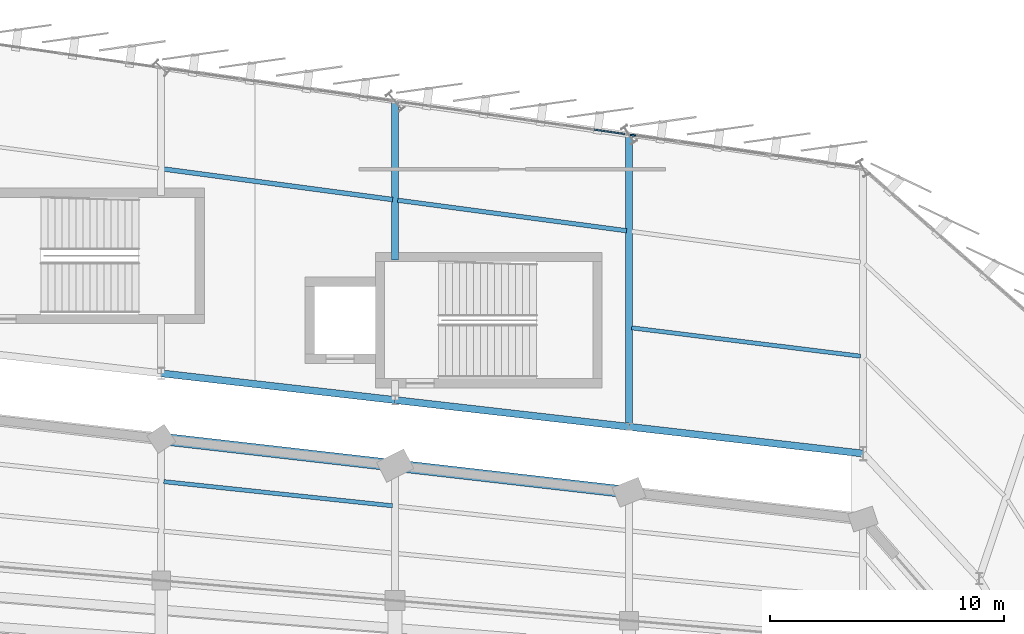
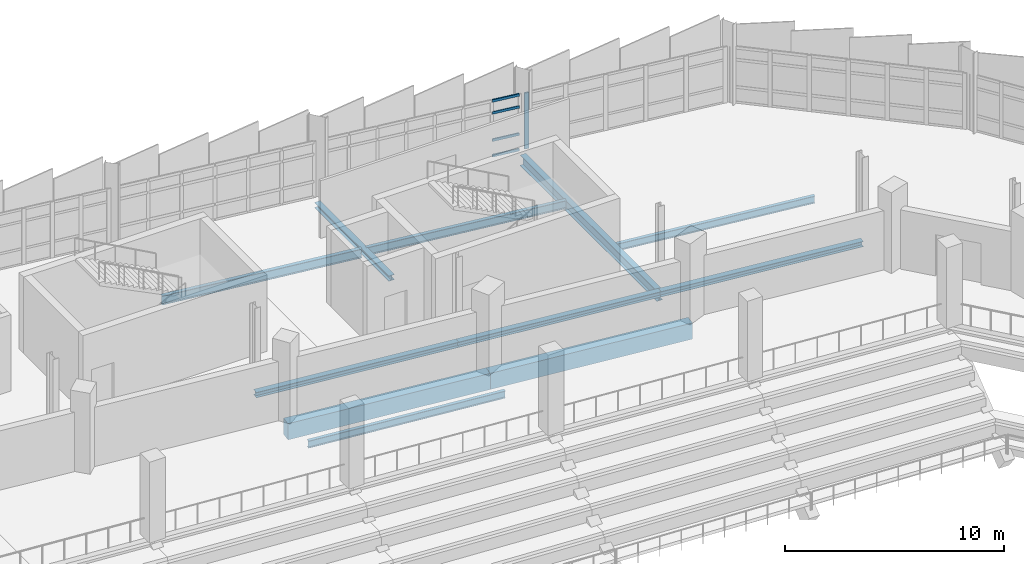
# One storey, part 76 of 134: 11 beams, 5 members, 2 elements without a shape of their own.
"""IFC4 building model written with IfcOpenShell, lengths in metres."""

from ifc_helpers import new_model, si_unit, direction, frame, origin, origin_2d, place, context, subcontext, project, spatial, rectangle, i_section, extrude, material, layer, layer_set, material_profile, profile_set, type_object, element, aggregate, save


model = new_model("IFC4")

# Units and contexts
model_context = context("Model", 3, precision=1e-05, world=origin(), true_north=direction((0.0, 1.0)))
body_context = subcontext(model_context, "Body", "Model", "MODEL_VIEW")
ifc_project = project(units=[si_unit("LENGTHUNIT", "METRE"), si_unit("AREAUNIT", "SQUARE_METRE"), si_unit("VOLUMEUNIT", "CUBIC_METRE"), si_unit("PLANEANGLEUNIT", "RADIAN"), si_unit("MASSUNIT", "GRAM", prefix="KILO")], contexts=[model_context])

# Site, building, storey
site_placement = place(None, origin())
site = spatial("IfcSite", under=ifc_project, at=site_placement, CompositionType="ELEMENT")
building_placement = place(site_placement, origin())
building = spatial("IfcBuilding", under=site, at=building_placement, Name="Sohan Crest Arena", CompositionType="ELEMENT")
storey_placement = place(building_placement, frame((0.0, 0.0, 4.5)))
storey = spatial("IfcBuildingStorey", under=building, at=storey_placement, Name="L01", CompositionType="ELEMENT", Elevation=4.5)

# Curtain wall, member
ifc_material_1 = material(Name="Thermally broken anodised aluminium", Category="aluminium")
ifc_layer_1 = layer(ifc_material_1, 0.239990234375, Name="Thermally broken anodised aluminium")
ifc_layer_set_1 = layer_set([ifc_layer_1], Name="Thermally broken anodised aluminium")
curtain_wall_type_1 = type_object("IfcCurtainWallType", Name="ARC-CW04", PredefinedType="NOTDEFINED", material=ifc_layer_set_1)
curtain_wall_1_placement = place(storey_placement, origin())
curtain_wall_1 = element("IfcCurtainWall", 1, at=curtain_wall_1_placement, inside=storey, type_object=curtain_wall_type_1, Name="Unitised curtain wall CW-043", PredefinedType="NOTDEFINED")
ifc_material_profile_1 = material_profile(ifc_material_1, rectangle(XDim=0.074951171875, YDim=0.219970703125, at=origin_2d()), Name="ALU-MULL 75x220")
ifc_profile_set_1 = profile_set([ifc_material_profile_1], Name="Thermally broken anodised aluminium")
member_type_1 = type_object("IfcMemberType", Name="ARC-CW-ML04", PredefinedType="MULLION", material=ifc_profile_set_1)
member_1_placement = place(storey_placement, frame((158.166015625, 117.40576171875, 0.0), z_axis=(0.0, 0.0, 1.0), x_axis=(-0.141549389674, -0.989931194722, 0.0)))
member_1 = element("IfcMember", 2, at=member_1_placement, type_object=member_type_1, Name="CW-043 mullion 6", PredefinedType="MULLION", context=body_context, shape_type="SweptSolid", body=[
    extrude(rectangle(XDim=0.074951171875, YDim=0.219970703125, at=origin_2d()), origin(), (0.0, 0.0, 1.0), 3.1201171875),
])
aggregate(curtain_wall_1, [member_1])

# Curtain wall, members
ifc_layer_2 = layer(ifc_material_1, 0.18994140625, Name="Thermally broken anodised aluminium")
ifc_layer_set_2 = layer_set([ifc_layer_2], Name="Thermally broken anodised aluminium")
curtain_wall_type_2 = type_object("IfcCurtainWallType", Name="ARC-CW05", PredefinedType="NOTDEFINED", material=ifc_layer_set_2)
curtain_wall_2_placement = place(storey_placement, origin())
curtain_wall_2 = element("IfcCurtainWall", 3, at=curtain_wall_2_placement, inside=storey, type_object=curtain_wall_type_2, Name="Unitised curtain wall CW-044", PredefinedType="NOTDEFINED")
ifc_material_profile_2 = material_profile(ifc_material_1, rectangle(XDim=0.06494140625, YDim=0.139892578125, at=origin_2d()), Name="ALU-TRAN 65x140")
ifc_profile_set_2 = profile_set([ifc_material_profile_2], Name="Thermally broken anodised aluminium")
member_type_2 = type_object("IfcMemberType", Name="ARC-CW-TR02", PredefinedType="USERDEFINED", material=ifc_profile_set_2)
member_2_placement = place(storey_placement, frame((157.8115234375, 117.45556640625, 0.032470703125), z_axis=(-0.989953204485, 0.141395378035, 0.0), x_axis=(-0.141395378035, -0.989953204485, 0.0)))
member_2 = element("IfcMember", 4, at=member_2_placement, type_object=member_type_2, Name="CW-044 transom 1.1", ObjectType="TRANSOM", PredefinedType="USERDEFINED", context=body_context, shape_type="SweptSolid", body=[
    extrude(rectangle(XDim=0.06494140625, YDim=0.139892578125, at=origin_2d()), origin(), (0.0, 0.0, 1.0), 1.315673828125),
])
member_3_placement = place(storey_placement, frame((157.8115234375, 117.45556640625, 0.89990234375), z_axis=(-0.989953204485, 0.141395378035, 0.0), x_axis=(-0.141395378035, -0.989953204485, 0.0)))
member_3 = element("IfcMember", 5, at=member_3_placement, type_object=member_type_2, Name="CW-044 transom 1.2", ObjectType="TRANSOM", PredefinedType="USERDEFINED", context=body_context, shape_type="SweptSolid", body=[
    extrude(rectangle(XDim=0.06494140625, YDim=0.139892578125, at=origin_2d()), origin(), (0.0, 0.0, 1.0), 1.315673828125),
])
member_4_placement = place(storey_placement, frame((157.8115234375, 117.45556640625, 2.419921875), z_axis=(-0.989953204485, 0.141395378035, 0.0), x_axis=(-0.141395378035, -0.989953204485, 0.0)))
member_4 = element("IfcMember", 6, at=member_4_placement, type_object=member_type_2, Name="CW-044 transom 1.3", ObjectType="TRANSOM", PredefinedType="USERDEFINED", context=body_context, shape_type="SweptSolid", body=[
    extrude(rectangle(XDim=0.06494140625, YDim=0.139892578125, at=origin_2d()), origin(), (0.0, 0.0, 1.0), 1.315673828125),
])
member_5_placement = place(storey_placement, frame((157.8115234375, 117.45556640625, 3.08740234375), z_axis=(-0.989953204485, 0.141395378035, 0.0), x_axis=(-0.141395378035, -0.989953204485, 0.0)))
member_5 = element("IfcMember", 7, at=member_5_placement, type_object=member_type_2, Name="CW-044 transom 1.4", ObjectType="TRANSOM", PredefinedType="USERDEFINED", context=body_context, shape_type="SweptSolid", body=[
    extrude(rectangle(XDim=0.06494140625, YDim=0.139892578125, at=origin_2d()), origin(), (0.0, 0.0, 1.0), 1.315673828125),
])
aggregate(curtain_wall_2, [member_2, member_3, member_4, member_5])

# Beams
ifc_material_2 = material(Name="Steel S355", Category="steel")
ifc_material_profile_3 = material_profile(ifc_material_2, i_section(OverallWidth=0.179931640625, OverallDepth=0.39990234375, WebThickness=0.008544921875, FlangeThickness=0.013427734375, at=origin_2d()), Name="IPE 400")
ifc_profile_set_3 = profile_set([ifc_material_profile_3], Name="Steel S355")
beam_type_1 = type_object("IfcBeamType", Name="STR-BM-B03", PredefinedType="JOIST", material=ifc_profile_set_3)
beam_1_placement = place(storey_placement, frame((147.89111328125, 101.56591796875, -0.449951171875), z_axis=(-0.994458024707, 0.105134376377, 0.0), x_axis=(-0.105134376377, -0.994458024707, 0.0)))
element("IfcBeam", 8, at=beam_1_placement, inside=storey, type_object=beam_type_1, Name="Structural beam J-L01-0712", PredefinedType="JOIST", context=body_context, shape_type="SweptSolid", body=[
    extrude(i_section(OverallWidth=0.179931640625, OverallDepth=0.39990234375, WebThickness=0.008544921875, FlangeThickness=0.013427734375, at=origin_2d()), origin(), (0.0, 0.0, 1.0), 9.836669921875),
])
beam_2_placement = place(storey_placement, frame((167.89111328125, 107.9619140625, -0.47509765625), z_axis=(-0.992409914467, 0.122973825131, 0.0), x_axis=(-0.122973825131, -0.992409914467, 0.0)))
element("IfcBeam", 9, at=beam_2_placement, inside=storey, type_object=beam_type_1, Name="Structural beam J-L01-1215", PredefinedType="JOIST", context=body_context, shape_type="SweptSolid", body=[
    extrude(i_section(OverallWidth=0.179931640625, OverallDepth=0.39990234375, WebThickness=0.008544921875, FlangeThickness=0.013427734375, at=origin_2d()), origin(), (0.0, 0.0, 1.0), 9.85693359375),
])
ifc_material_profile_4 = material_profile(ifc_material_2, i_section(OverallWidth=0.18994140625, OverallDepth=0.449951171875, WebThickness=0.009521484375, FlangeThickness=0.0146484375, at=origin_2d()), Name="IPE 450")
ifc_profile_set_4 = profile_set([ifc_material_profile_4], Name="Steel S355")
beam_type_2 = type_object("IfcBeamType", Name="STR-BM-B04", PredefinedType="JOIST", material=ifc_profile_set_4)
beam_3_placement = place(storey_placement, frame((157.89111328125, 113.323974609375, -0.5), z_axis=(-0.991232437337, 0.132129690721, 0.0), x_axis=(-0.132129690721, -0.991232437337, 0.0)))
element("IfcBeam", 10, at=beam_3_placement, inside=storey, type_object=beam_type_2, Name="Structural beam J-L01-1220", PredefinedType="JOIST", context=body_context, shape_type="SweptSolid", body=[
    extrude(i_section(OverallWidth=0.18994140625, OverallDepth=0.449951171875, WebThickness=0.009521484375, FlangeThickness=0.0146484375, at=origin_2d()), origin(), (0.0, 0.0, 1.0), 9.86865234375),
])
ifc_material_profile_5 = material_profile(ifc_material_2, i_section(OverallWidth=0.199951171875, OverallDepth=0.5, WebThickness=0.01025390625, FlangeThickness=0.01611328125, at=origin_2d()), Name="IPE 500")
ifc_profile_set_5 = profile_set([ifc_material_profile_5], Name="Steel S355")
beam_type_3 = type_object("IfcBeamType", Name="STR-BM-B05", PredefinedType="JOIST", material=ifc_profile_set_5)
beam_4_placement = place(storey_placement, frame((147.89111328125, 114.657958984375, -0.52490234375), z_axis=(-0.991232437337, 0.132129690721, 0.0), x_axis=(-0.132129690721, -0.991232437337, 0.0)))
element("IfcBeam", 11, at=beam_4_placement, inside=storey, type_object=beam_type_3, Name="Structural beam J-L01-1225", PredefinedType="JOIST", context=body_context, shape_type="SweptSolid", body=[
    extrude(i_section(OverallWidth=0.199951171875, OverallDepth=0.5, WebThickness=0.01025390625, FlangeThickness=0.01611328125, at=origin_2d()), origin(), (0.0, 0.0, 1.0), 9.86865234375),
])
ifc_material_profile_6 = material_profile(ifc_material_2, i_section(OverallWidth=0.300048828125, OverallDepth=0.590087890625, WebThickness=0.012939453125, FlangeThickness=0.02490234375, at=origin_2d()), Name="HEA 600")
ifc_profile_set_6 = profile_set([ifc_material_profile_6], Name="Steel S355")
beam_type_4 = type_object("IfcBeamType", Name="STR-BM-B11", PredefinedType="BEAM", material=ifc_profile_set_6)
beam_5_placement = place(storey_placement, frame((158.0, 104.943115234375, -0.570068359375), z_axis=(0.0, 1.0, 0.0), x_axis=(-1.0, 0.0, 0.0)))
element("IfcBeam", 12, at=beam_5_placement, inside=storey, type_object=beam_type_4, Name="Structural beam G-L01-1217", PredefinedType="BEAM", context=body_context, shape_type="SweptSolid", body=[
    extrude(i_section(OverallWidth=0.300048828125, OverallDepth=0.590087890625, WebThickness=0.012939453125, FlangeThickness=0.02490234375, at=origin_2d()), origin(), (0.0, 0.0, 1.0), 12.48583984375),
])
ifc_material_profile_7 = material_profile(ifc_material_2, i_section(OverallWidth=0.300048828125, OverallDepth=0.300048828125, WebThickness=0.010986328125, FlangeThickness=0.01904296875, at=origin_2d()), Name="HEB 300")
ifc_profile_set_7 = profile_set([ifc_material_profile_7], Name="Steel S355")
beam_type_5 = type_object("IfcBeamType", Name="STR-BM-B12", PredefinedType="BEAM", material=ifc_profile_set_7)
for number, where, z_axis, x_axis, name in (
    (13, (168.0, 103.800048828125, -0.425048828125), (-0.99353032697, 0.113567114035, 0.0), (-0.113567114035, -0.99353032697, 0.0), "Structural beam G-L01-1213"),
    (14, (158.0, 104.943115234375, -0.425048828125), (-0.993533063564, 0.113543170668, 0.0), (-0.113543170668, -0.993533063564, 0.0), "Structural beam G-L01-1218"),
):
    element("IfcBeam", number, at=place(storey_placement, frame(where, z_axis=z_axis, x_axis=x_axis)), inside=storey, type_object=beam_type_5, Name=name, PredefinedType="BEAM", context=body_context, shape_type="SweptSolid", body=[
        extrude(i_section(OverallWidth=0.300048828125, OverallDepth=0.300048828125, WebThickness=0.010986328125, FlangeThickness=0.01904296875, at=origin_2d()), origin(), (0.0, 0.0, 1.0), 10.065185546875),
    ])
beam_6_placement = place(storey_placement, frame((148.0, 112.080078125, -0.425048828125), z_axis=(0.0, 1.0, 0.0), x_axis=(-1.0, 0.0, 0.0)))
element("IfcBeam", 15, at=beam_6_placement, inside=storey, type_object=beam_type_5, Name="Structural beam G-L01-1222", PredefinedType="BEAM", context=body_context, shape_type="SweptSolid", body=[
    extrude(i_section(OverallWidth=0.300048828125, OverallDepth=0.300048828125, WebThickness=0.010986328125, FlangeThickness=0.01904296875, at=origin_2d()), origin(), (0.0, 0.0, 1.0), 6.77685546875),
])
beam_7_placement = place(storey_placement, frame((148.0, 106.0859375, -0.425048828125), z_axis=(-0.99353032697, 0.113567114035, 0.0), x_axis=(-0.113567114035, -0.99353032697, 0.0)))
element("IfcBeam", 16, at=beam_7_placement, inside=storey, type_object=beam_type_5, Name="Structural beam G-L01-1223", PredefinedType="BEAM", context=body_context, shape_type="SweptSolid", body=[
    extrude(i_section(OverallWidth=0.300048828125, OverallDepth=0.300048828125, WebThickness=0.010986328125, FlangeThickness=0.01904296875, at=origin_2d()), origin(), (0.0, 0.0, 1.0), 10.065185546875),
])
ifc_material_3 = material(Name="Concrete C40/50", Category="concrete")
ifc_material_profile_8 = material_profile(ifc_material_3, rectangle(XDim=0.5, YDim=0.89990234375, at=origin_2d()), Name="RC-BM 500x900")
ifc_profile_set_8 = profile_set([ifc_material_profile_8], Name="Concrete C40/50")
beam_type_6 = type_object("IfcBeamType", Name="STR-BM-TB03", PredefinedType="BEAM", material=ifc_profile_set_8)
for number, where, z_axis, x_axis, name in (
    (17, (158.0, 102.14306640625, -0.699951171875), (-0.993533063564, 0.113543170668, 0.0), (-0.113543170668, -0.993533063564, 0.0), "Structural beam TB-L01-0687"),
    (18, (148.0, 103.285888671875, -0.699951171875), (-0.99353032697, 0.113567114035, 0.0), (-0.113567114035, -0.99353032697, 0.0), "Structural beam TB-L01-0709"),
):
    element("IfcBeam", number, at=place(storey_placement, frame(where, z_axis=z_axis, x_axis=x_axis)), inside=storey, type_object=beam_type_6, Name=name, PredefinedType="BEAM", context=body_context, shape_type="SweptSolid", body=[
        extrude(rectangle(XDim=0.5, YDim=0.89990234375, at=origin_2d()), origin(), (0.0, 0.0, 1.0), 10.065185546875),
    ])

save(model, "model.ifc")
